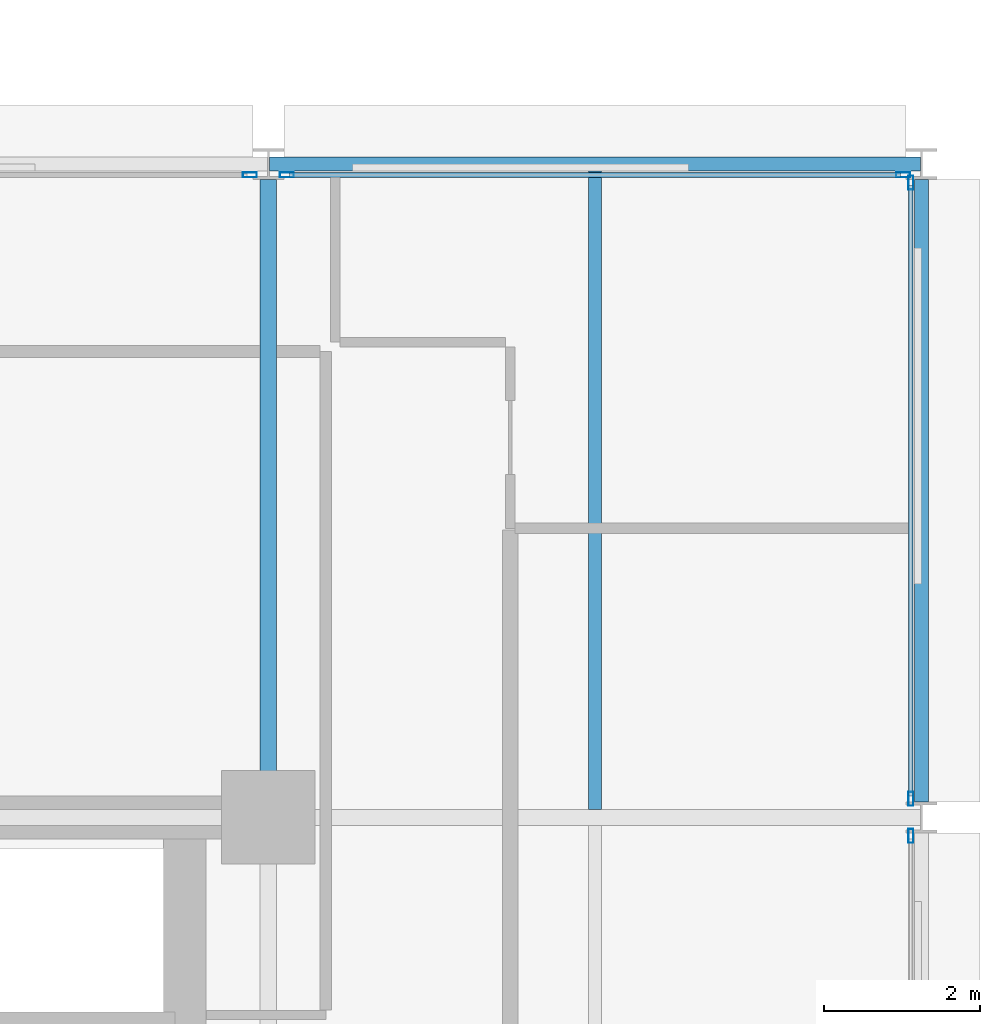
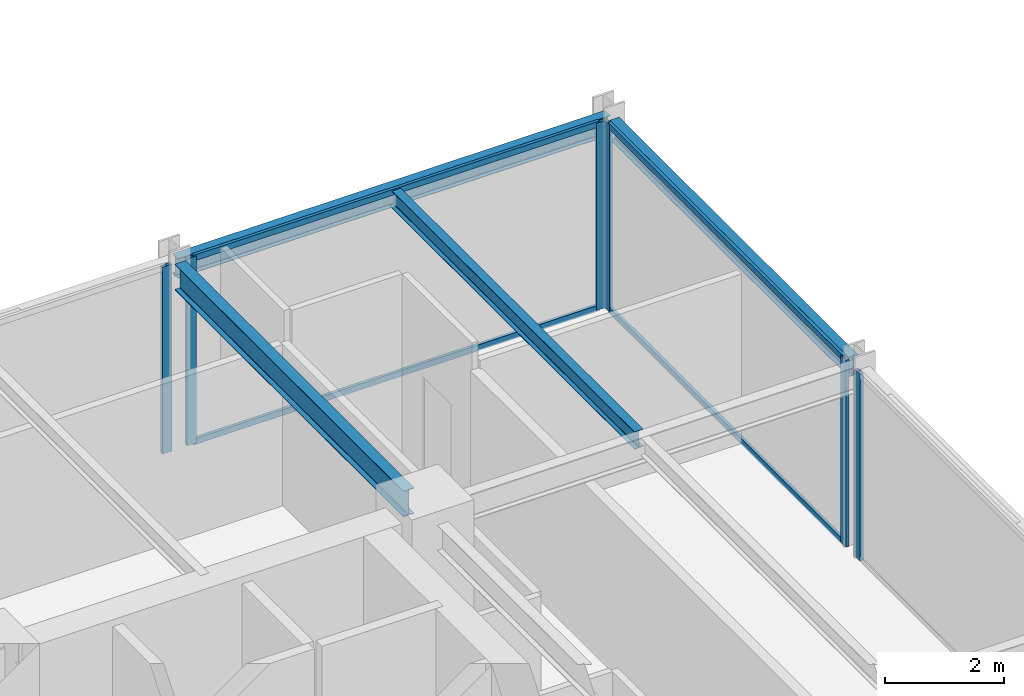
# One storey, part 15 of 30: 10 members, 4 beams, 4 elements without a shape of their own.
"""IFC4 building model written with IfcOpenShell, lengths in metres."""

from ifc_helpers import new_model, si_unit, direction, frame, origin, origin_2d, place, context, subcontext, project, spatial, hollow_rectangle, i_section, extrude, material, layer, layer_set, material_profile, profile_set, type_object, element, aggregate, save


model = new_model("IFC4")

# Units and contexts
model_context = context("Model", 3, precision=1e-05, world=origin(), true_north=direction((0.0, 1.0)))
body_context = subcontext(model_context, "Body", "Model", "MODEL_VIEW")
ifc_project = project(units=[si_unit("LENGTHUNIT", "METRE"), si_unit("AREAUNIT", "SQUARE_METRE"), si_unit("VOLUMEUNIT", "CUBIC_METRE"), si_unit("PLANEANGLEUNIT", "RADIAN"), si_unit("MASSUNIT", "GRAM", prefix="KILO")], contexts=[model_context])

# Site, building, storey
site_placement = place(None, origin())
site = spatial("IfcSite", under=ifc_project, at=site_placement, CompositionType="ELEMENT")
building_placement = place(site_placement, origin())
building = spatial("IfcBuilding", under=site, at=building_placement, Name="Nerrivon Quay Data Exchange", CompositionType="ELEMENT")
storey_placement = place(building_placement, frame((0.0, 0.0, 154.10009765625)))
storey = spatial("IfcBuildingStorey", under=building, at=storey_placement, Name="L36", CompositionType="ELEMENT", Elevation=154.10009765625)

# Beams
ifc_material_1 = material(Name="Steel Grade 350", Category="steel")
ifc_material_profile_1 = material_profile(ifc_material_1, i_section(OverallWidth=0.208984375, OverallDepth=0.528076171875, WebThickness=0.009521484375, FlangeThickness=0.01318359375, FilletRadius=0.013916015625, at=origin_2d()), Name="530UB82.0")
ifc_profile_set_1 = profile_set([ifc_material_profile_1], Name="Steel Grade 350")
beam_type_1 = type_object("IfcBeamType", Name="BM-G4-530UB82", PredefinedType="BEAM", material=ifc_profile_set_1)
beam_1_placement = place(storey_placement, frame((33.60009765625, 17.340087890625, 3.560791015625), z_axis=(0.0, 1.0, 0.0), x_axis=(-1.0, 0.0, 0.0)))
element("IfcBeam", 1, at=beam_1_placement, inside=storey, type_object=beam_type_1, Name="L36 NS Girder X=33.6 (16.8..25.2)", PredefinedType="BEAM", context=body_context, shape_type="SweptSolid", body=[
    extrude(i_section(OverallWidth=0.208984375, OverallDepth=0.528076171875, WebThickness=0.009521484375, FlangeThickness=0.01318359375, FilletRadius=0.013916015625, at=origin_2d()), origin(), (0.0, 0.0, 1.0), 7.659912109375),
])
ifc_material_profile_2 = material_profile(ifc_material_1, i_section(OverallWidth=0.1708984375, OverallDepth=0.35595703125, WebThickness=0.00732421875, FlangeThickness=0.011474609375, FilletRadius=0.011474609375, at=origin_2d()), Name="360UB50.7")
ifc_profile_set_2 = profile_set([ifc_material_profile_2], Name="Steel Grade 350")
beam_type_2 = type_object("IfcBeamType", Name="BM-J4-360UB51", PredefinedType="JOIST", material=ifc_profile_set_2)
beam_2_placement = place(storey_placement, frame((37.800048828125, 16.904541015625, 3.64697265625), z_axis=(0.0, 1.0, 0.0), x_axis=(-1.0, 0.0, 0.0)))
element("IfcBeam", 2, at=beam_2_placement, inside=storey, type_object=beam_type_2, Name="L36 Secondary Joist X=37.8 (16.8..25.2)", PredefinedType="JOIST", context=body_context, shape_type="SweptSolid", body=[
    extrude(i_section(OverallWidth=0.1708984375, OverallDepth=0.35595703125, WebThickness=0.00732421875, FlangeThickness=0.011474609375, FilletRadius=0.011474609375, at=origin_2d()), origin(), (0.0, 0.0, 1.0), 8.20654296875),
])
ifc_material_profile_3 = material_profile(ifc_material_1, i_section(OverallWidth=0.177978515625, OverallDepth=0.403076171875, WebThickness=0.007568359375, FlangeThickness=0.010986328125, FilletRadius=0.011474609375, at=origin_2d()), Name="410UB53.7")
ifc_profile_set_3 = profile_set([ifc_material_profile_3], Name="Steel Grade 350")
beam_type_3 = type_object("IfcBeamType", Name="BM-SP2-410UB54", PredefinedType="SPANDREL", material=ifc_profile_set_3)
beam_3_placement = place(storey_placement, frame((33.612548828125, 25.199951171875, 3.623291015625), z_axis=(1.0, 0.0, 0.0), x_axis=(0.0, 1.0, 0.0)))
element("IfcBeam", 3, at=beam_3_placement, inside=storey, type_object=beam_type_3, Name="L36 EW Girder Y=25.2 (33.6..42.0)", PredefinedType="SPANDREL", context=body_context, shape_type="SweptSolid", body=[
    extrude(i_section(OverallWidth=0.177978515625, OverallDepth=0.403076171875, WebThickness=0.007568359375, FlangeThickness=0.010986328125, FilletRadius=0.011474609375, at=origin_2d()), origin(), (0.0, 0.0, 1.0), 8.375),
])
beam_4_placement = place(storey_placement, frame((42.0, 17.0, 3.623291015625), z_axis=(0.0, 1.0, 0.0), x_axis=(-1.0, 0.0, 0.0)))
element("IfcBeam", 4, at=beam_4_placement, inside=storey, type_object=beam_type_3, Name="L36 NS Girder X=42.0 (16.8..25.2)", PredefinedType="SPANDREL", context=body_context, shape_type="SweptSolid", body=[
    extrude(i_section(OverallWidth=0.177978515625, OverallDepth=0.403076171875, WebThickness=0.007568359375, FlangeThickness=0.010986328125, FilletRadius=0.011474609375, at=origin_2d()), origin(), (0.0, 0.0, 1.0), 8.0),
])

# Curtain wall, member
ifc_material_2 = material(Name="Anodised aluminium 6063-T6", Category="aluminium")
ifc_layer = layer(ifc_material_2, 0.2099609375)
ifc_layer_set = layer_set([ifc_layer], Name="Anodised aluminium 6063-T6")
curtain_wall_type = type_object("IfcCurtainWallType", Name="CW-SYS-02", PredefinedType="NOTDEFINED", material=ifc_layer_set)
curtain_wall_1_placement = place(storey_placement, origin())
curtain_wall_1 = element("IfcCurtainWall", 5, at=curtain_wall_1_placement, inside=storey, type_object=curtain_wall_type, Name="L36 Unitised Curtain Wall 26", PredefinedType="NOTDEFINED")
ifc_material_profile_4 = material_profile(ifc_material_2, hollow_rectangle(XDim=0.06494140625, YDim=0.179931640625, WallThickness=0.00341796875, at=origin_2d()), Name="ALU-MULL-180x65")
ifc_profile_set_4 = profile_set([ifc_material_profile_4], Name="Anodised aluminium 6063-T6")
member_type_1 = type_object("IfcMemberType", Name="CWM-180x65", PredefinedType="MULLION", material=ifc_profile_set_4)
member_1_placement = place(storey_placement, frame((33.362548828125, 25.06005859375, 0.0), z_axis=(0.0, 0.0, 1.0), x_axis=(0.0, 1.0, 0.0)))
member_1 = element("IfcMember", 6, at=member_1_placement, type_object=member_type_1, Name="CW02 mullion 2", PredefinedType="MULLION", context=body_context, shape_type="SweptSolid", body=[
    extrude(hollow_rectangle(XDim=0.06494140625, YDim=0.179931640625, WallThickness=0.00341796875, at=origin_2d()), origin(), (0.0, 0.0, 1.0), 3.824951171875),
])
aggregate(curtain_wall_1, [member_1])

# Curtain wall, members
curtain_wall_2_placement = place(storey_placement, origin())
curtain_wall_2 = element("IfcCurtainWall", 7, at=curtain_wall_2_placement, inside=storey, type_object=curtain_wall_type, Name="L36 Unitised Curtain Wall 27", PredefinedType="NOTDEFINED")
member_2_placement = place(storey_placement, frame((33.83740234375, 25.06005859375, 0.0), z_axis=(0.0, 0.0, 1.0), x_axis=(0.0, 1.0, 0.0)))
member_2 = element("IfcMember", 8, at=member_2_placement, type_object=member_type_1, Name="CW02 mullion 1", PredefinedType="MULLION", context=body_context, shape_type="SweptSolid", body=[
    extrude(hollow_rectangle(XDim=0.06494140625, YDim=0.179931640625, WallThickness=0.00341796875, at=origin_2d()), origin(), (0.0, 0.0, 1.0), 3.824951171875),
])
member_3_placement = place(storey_placement, frame((41.762451171875, 25.06005859375, 0.0), z_axis=(0.0, 0.0, 1.0), x_axis=(0.0, 1.0, 0.0)))
member_3 = element("IfcMember", 9, at=member_3_placement, type_object=member_type_1, Name="CW02 mullion 2", PredefinedType="MULLION", context=body_context, shape_type="SweptSolid", body=[
    extrude(hollow_rectangle(XDim=0.06494140625, YDim=0.179931640625, WallThickness=0.00341796875, at=origin_2d()), origin(), (0.0, 0.0, 1.0), 3.824951171875),
])

curtain_wall_3_placement = place(storey_placement, origin())
curtain_wall_3 = element("IfcCurtainWall", 10, at=curtain_wall_3_placement, inside=storey, type_object=curtain_wall_type, Name="L36 Unitised Curtain Wall 28", PredefinedType="NOTDEFINED")
member_4_placement = place(storey_placement, frame((41.860107421875, 24.96240234375, 0.0), z_axis=(0.0, 0.0, 1.0), x_axis=(1.0, 0.0, 0.0)))
member_4 = element("IfcMember", 11, at=member_4_placement, type_object=member_type_1, Name="CW02 mullion 1", PredefinedType="MULLION", context=body_context, shape_type="SweptSolid", body=[
    extrude(hollow_rectangle(XDim=0.06494140625, YDim=0.179931640625, WallThickness=0.00341796875, at=origin_2d()), origin(), (0.0, 0.0, 1.0), 3.824951171875),
])
member_5_placement = place(storey_placement, frame((41.860107421875, 17.03759765625, 0.0), z_axis=(0.0, 0.0, 1.0), x_axis=(1.0, 0.0, 0.0)))
member_5 = element("IfcMember", 12, at=member_5_placement, type_object=member_type_1, Name="CW02 mullion 2", PredefinedType="MULLION", context=body_context, shape_type="SweptSolid", body=[
    extrude(hollow_rectangle(XDim=0.06494140625, YDim=0.179931640625, WallThickness=0.00341796875, at=origin_2d()), origin(), (0.0, 0.0, 1.0), 3.824951171875),
])

# Curtain wall, member
curtain_wall_4_placement = place(storey_placement, origin())
curtain_wall_4 = element("IfcCurtainWall", 13, at=curtain_wall_4_placement, inside=storey, type_object=curtain_wall_type, Name="L36 Unitised Curtain Wall 29", PredefinedType="NOTDEFINED")
member_6_placement = place(storey_placement, frame((41.860107421875, 16.5625, 0.0), z_axis=(0.0, 0.0, 1.0), x_axis=(1.0, 0.0, 0.0)))
member_6 = element("IfcMember", 14, at=member_6_placement, type_object=member_type_1, Name="CW02 mullion 1", PredefinedType="MULLION", context=body_context, shape_type="SweptSolid", body=[
    extrude(hollow_rectangle(XDim=0.06494140625, YDim=0.179931640625, WallThickness=0.00341796875, at=origin_2d()), origin(), (0.0, 0.0, 1.0), 3.824951171875),
])
aggregate(curtain_wall_4, [member_6])

# Member
ifc_material_profile_5 = material_profile(ifc_material_2, hollow_rectangle(XDim=0.06005859375, YDim=0.1201171875, WallThickness=0.003173828125, at=origin_2d()), Name="ALU-TRAN-120x60")
ifc_profile_set_5 = profile_set([ifc_material_profile_5], Name="Anodised aluminium 6063-T6")
member_type_2 = type_object("IfcMemberType", Name="CWT-120x60", PredefinedType="USERDEFINED", material=ifc_profile_set_5)
member_7_placement = place(storey_placement, frame((33.875, 25.06005859375, 0.032470703125), z_axis=(1.0, 0.0, 0.0), x_axis=(0.0, 1.0, 0.0)))
member_7 = element("IfcMember", 15, at=member_7_placement, type_object=member_type_2, Name="CW02 transom 1.1", ObjectType="TRANSOM", PredefinedType="USERDEFINED", context=body_context, shape_type="SweptSolid", body=[
    extrude(hollow_rectangle(XDim=0.06005859375, YDim=0.1201171875, WallThickness=0.003173828125, at=origin_2d()), origin(), (0.0, 0.0, 1.0), 7.85009765625),
])

member_8_placement = place(storey_placement, frame((33.875, 25.06005859375, 3.79248046875), z_axis=(1.0, 0.0, 0.0), x_axis=(0.0, 1.0, 0.0)))
member_8 = element("IfcMember", 16, at=member_8_placement, type_object=member_type_2, Name="CW02 transom 1.2", ObjectType="TRANSOM", PredefinedType="USERDEFINED", context=body_context, shape_type="SweptSolid", body=[
    extrude(hollow_rectangle(XDim=0.06005859375, YDim=0.1201171875, WallThickness=0.003173828125, at=origin_2d()), origin(), (0.0, 0.0, 1.0), 7.85009765625),
])

aggregate(curtain_wall_2, [member_2, member_3, member_7, member_8])

member_9_placement = place(storey_placement, frame((41.860107421875, 24.925048828125, 0.032470703125), z_axis=(0.0, -1.0, 0.0), x_axis=(1.0, 0.0, 0.0)))
member_9 = element("IfcMember", 17, at=member_9_placement, type_object=member_type_2, Name="CW02 transom 1.1", ObjectType="TRANSOM", PredefinedType="USERDEFINED", context=body_context, shape_type="SweptSolid", body=[
    extrude(hollow_rectangle(XDim=0.06005859375, YDim=0.1201171875, WallThickness=0.003173828125, at=origin_2d()), origin(), (0.0, 0.0, 1.0), 7.85009765625),
])

member_10_placement = place(storey_placement, frame((41.860107421875, 24.925048828125, 3.79248046875), z_axis=(0.0, -1.0, 0.0), x_axis=(1.0, 0.0, 0.0)))
member_10 = element("IfcMember", 18, at=member_10_placement, type_object=member_type_2, Name="CW02 transom 1.2", ObjectType="TRANSOM", PredefinedType="USERDEFINED", context=body_context, shape_type="SweptSolid", body=[
    extrude(hollow_rectangle(XDim=0.06005859375, YDim=0.1201171875, WallThickness=0.003173828125, at=origin_2d()), origin(), (0.0, 0.0, 1.0), 7.85009765625),
])

aggregate(curtain_wall_3, [member_4, member_5, member_9, member_10])

save(model, "model.ifc")
